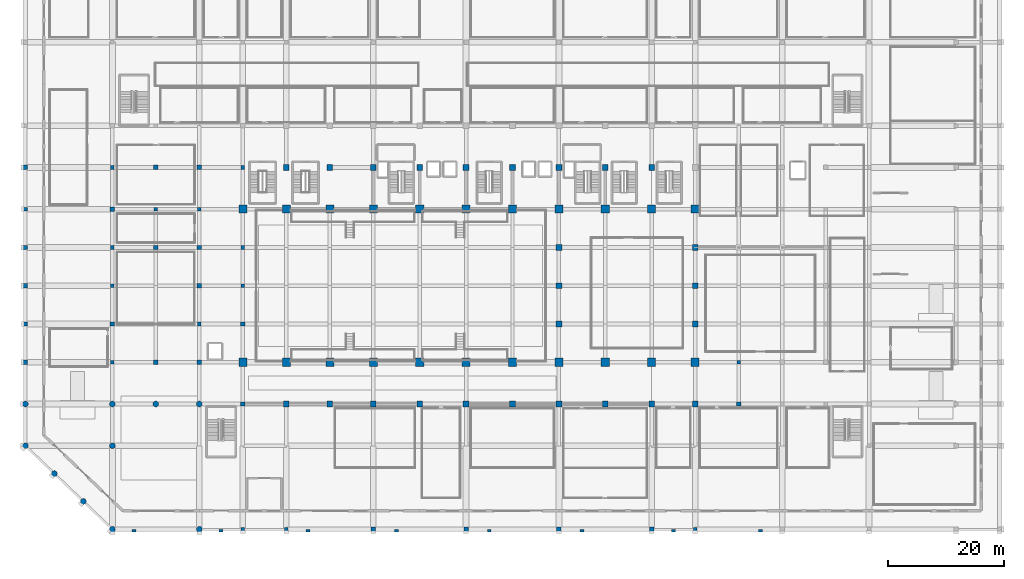
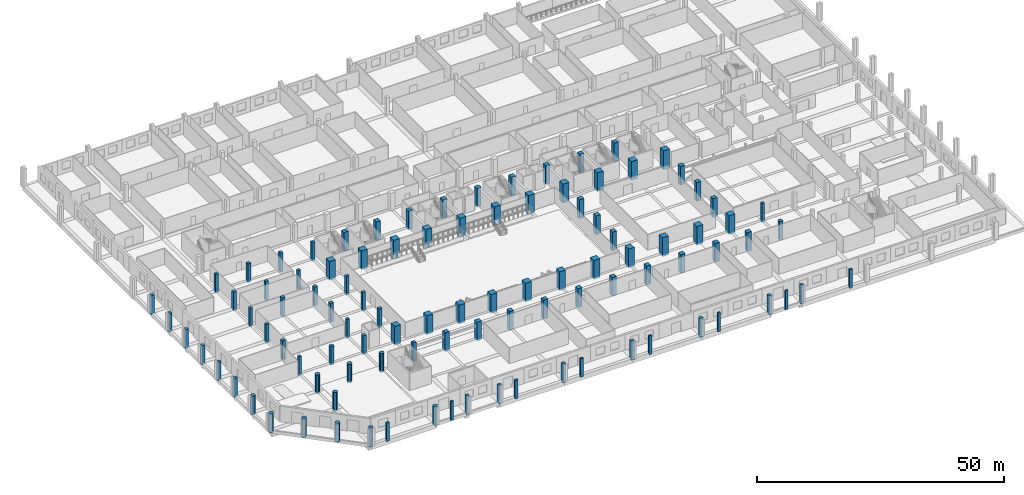
# One storey, part 1 of 33: 101 columns.
"""IFC4 building model written with IfcOpenShell, lengths in metres."""

from ifc_helpers import new_model, si_unit, direction, frame, origin, origin_2d, place, context, subcontext, project, spatial, rectangle, circle, extrude, material, material_profile, profile_set, type_object, element, save


model = new_model("IFC4")

# Units and contexts
model_context = context("Model", 3, precision=1e-05, world=origin(), true_north=direction((0.0, 1.0)))
body_context = subcontext(model_context, "Body", "Model", "MODEL_VIEW")
ifc_project = project(units=[si_unit("LENGTHUNIT", "METRE"), si_unit("AREAUNIT", "SQUARE_METRE"), si_unit("VOLUMEUNIT", "CUBIC_METRE"), si_unit("PLANEANGLEUNIT", "RADIAN"), si_unit("MASSUNIT", "GRAM", prefix="KILO")], contexts=[model_context])

# Site, building, storey
site_placement = place(None, origin())
site = spatial("IfcSite", under=ifc_project, at=site_placement, CompositionType="ELEMENT")
building_placement = place(site_placement, origin())
building = spatial("IfcBuilding", under=site, at=building_placement, Name="Akrevak Sports Hall", CompositionType="ELEMENT")
storey_placement = place(building_placement, origin())
storey = spatial("IfcBuildingStorey", under=building, at=storey_placement, Name="L00", CompositionType="ELEMENT", Elevation=0.0)

# Columns
ifc_material_1 = material(Name="Concrete C50/60", Category="concrete")
ifc_material_profile_1 = material_profile(ifc_material_1, circle(Radius=0.5, at=origin_2d()), Name="COL D1000", Category="concrete")
ifc_profile_set_1 = profile_set([ifc_material_profile_1], Name="Concrete C50/60")
column_type_1 = type_object("IfcColumnType", Name="STR-COL-D1000", PredefinedType="COLUMN", material=ifc_profile_set_1)
for number, where, z_axis, x_axis, name in (
    (1, (0.0, 14.39990234375, -0.35009765625), (0.0, 0.0, 1.0), (1.0, 0.0, 0.0), "Column 1/C (L00)"),
    (2, (0.0, 21.60009765625, -0.35009765625), (0.0, 0.0, 1.0), (1.0, 0.0, 0.0), "Column 1/D (L00)"),
    (3, (15.0, 0.0, -0.35009765625), (0.0, 0.0, 1.0), (1.0, 0.0, 0.0), "Column 3/A (L00)"),
    (4, (15.0, 14.39990234375, -0.35009765625), (0.0, 0.0, 1.0), (1.0, 0.0, 0.0), "Column 3/C (L00)"),
    (5, (15.0, 21.60009765625, -0.35009765625), (0.0, 0.0, 1.0), (1.0, 0.0, 0.0), "Column 3/D (L00)"),
    (6, (22.5, 21.60009765625, -0.35009765625), (0.0, 0.0, 1.0), (1.0, 0.0, 0.0), "Column 4/D (L00)"),
    (7, (30.0, 0.0, -0.35009765625), (0.0, 0.0, 1.0), (1.0, 0.0, 0.0), "Column 5/A (L00)"),
    (8, (30.0, 21.60009765625, -0.35009765625), (0.0, 0.0, 1.0), (1.0, 0.0, 0.0), "Column 5/D (L00)"),
    (9, (10.0, 4.800048828125, -0.35009765625), (0.0, 0.0, 1.0), (1.0, 0.0, 0.0), "Beaux-Arts Chamfer Colonnade Column CH1 (L00)"),
    (10, (5.0, 9.60009765625, -0.35009765625), (0.0, 0.0, 1.0), (1.0, 0.0, 0.0), "Beaux-Arts Chamfer Colonnade Column CH2 (L00)"),
):
    element("IfcColumn", number, at=place(storey_placement, frame(where, z_axis=z_axis, x_axis=x_axis)), inside=storey, type_object=column_type_1, Name=name, PredefinedType="COLUMN", context=body_context, shape_type="SweptSolid", body=[
        extrude(circle(Radius=0.5, at=origin_2d()), origin(), (0.0, 0.0, 1.0), 4.650146484375),
    ])
ifc_material_profile_2 = material_profile(ifc_material_1, rectangle(XDim=1.0, YDim=1.0, at=origin_2d()), Name="RC 1000x1000", Category="concrete")
ifc_profile_set_2 = profile_set([ifc_material_profile_2], Name="Concrete C50/60")
column_type_2 = type_object("IfcColumnType", Name="STR-COL-RC1000", PredefinedType="COLUMN", material=ifc_profile_set_2)
for number, where, z_axis, x_axis, name in (
    (11, (45.0, 21.60009765625, -0.35009765625), (0.0, 0.0, 1.0), (1.0, 0.0, 0.0), "Column 7/D (L00)"),
    (12, (45.0, 62.39990234375, -0.35009765625), (0.0, 0.0, 1.0), (1.0, 0.0, 0.0), "Column 7/J (L00)"),
    (13, (52.5, 21.60009765625, -0.35009765625), (0.0, 0.0, 1.0), (1.0, 0.0, 0.0), "Column 8/D (L00)"),
    (14, (52.5, 62.39990234375, -0.35009765625), (0.0, 0.0, 1.0), (1.0, 0.0, 0.0), "Column 8/J (L00)"),
    (15, (60.0, 21.60009765625, -0.35009765625), (0.0, 0.0, 1.0), (1.0, 0.0, 0.0), "Column 9/D (L00)"),
    (16, (60.0, 62.39990234375, -0.35009765625), (0.0, 0.0, 1.0), (1.0, 0.0, 0.0), "Column 9/J (L00)"),
    (17, (68.0, 21.60009765625, -0.35009765625), (0.0, 0.0, 1.0), (1.0, 0.0, 0.0), "Column 10/D (L00)"),
    (18, (68.0, 62.39990234375, -0.35009765625), (0.0, 0.0, 1.0), (1.0, 0.0, 0.0), "Column 10/J (L00)"),
    (19, (76.0, 21.60009765625, -0.35009765625), (0.0, 0.0, 1.0), (1.0, 0.0, 0.0), "Column 11/D (L00)"),
    (20, (76.0, 62.39990234375, -0.35009765625), (0.0, 0.0, 1.0), (1.0, 0.0, 0.0), "Column 11/J (L00)"),
    (21, (84.0, 21.60009765625, -0.35009765625), (0.0, 0.0, 1.0), (1.0, 0.0, 0.0), "Column 12/D (L00)"),
    (22, (84.0, 62.39990234375, -0.35009765625), (0.0, 0.0, 1.0), (1.0, 0.0, 0.0), "Column 12/J (L00)"),
    (23, (92.0, 21.60009765625, -0.35009765625), (0.0, 0.0, 1.0), (1.0, 0.0, 0.0), "Column 13/D (L00)"),
    (24, (92.0, 35.39990234375, -0.35009765625), (0.0, 0.0, 1.0), (1.0, 0.0, 0.0), "Column 13/F (L00)"),
    (25, (92.0, 42.0, -0.35009765625), (0.0, 0.0, 1.0), (1.0, 0.0, 0.0), "Column 13/G (L00)"),
    (26, (92.0, 48.60009765625, -0.35009765625), (0.0, 0.0, 1.0), (1.0, 0.0, 0.0), "Column 13/H (L00)"),
    (27, (92.0, 62.39990234375, -0.35009765625), (0.0, 0.0, 1.0), (1.0, 0.0, 0.0), "Column 13/J (L00)"),
    (28, (100.0, 21.60009765625, -0.35009765625), (0.0, 0.0, 1.0), (1.0, 0.0, 0.0), "Column 14/D (L00)"),
    (29, (100.0, 62.39990234375, -0.35009765625), (0.0, 0.0, 1.0), (1.0, 0.0, 0.0), "Column 14/J (L00)"),
    (30, (108.0, 21.60009765625, -0.35009765625), (0.0, 0.0, 1.0), (1.0, 0.0, 0.0), "Column 15/D (L00)"),
    (31, (108.0, 62.39990234375, -0.35009765625), (0.0, 0.0, 1.0), (1.0, 0.0, 0.0), "Column 15/J (L00)"),
    (32, (115.5, 21.60009765625, -0.35009765625), (0.0, 0.0, 1.0), (1.0, 0.0, 0.0), "Column 16/D (L00)"),
    (33, (115.5, 35.39990234375, -0.35009765625), (0.0, 0.0, 1.0), (1.0, 0.0, 0.0), "Column 16/F (L00)"),
    (34, (115.5, 42.0, -0.35009765625), (0.0, 0.0, 1.0), (1.0, 0.0, 0.0), "Column 16/G (L00)"),
    (35, (115.5, 48.60009765625, -0.35009765625), (0.0, 0.0, 1.0), (1.0, 0.0, 0.0), "Column 16/H (L00)"),
):
    element("IfcColumn", number, at=place(storey_placement, frame(where, z_axis=z_axis, x_axis=x_axis)), inside=storey, type_object=column_type_2, Name=name, PredefinedType="COLUMN", context=body_context, shape_type="SweptSolid", body=[
        extrude(rectangle(XDim=1.0, YDim=1.0, at=origin_2d()), origin(), (0.0, 0.0, 1.0), 4.650146484375),
    ])
ifc_material_profile_3 = material_profile(ifc_material_1, rectangle(XDim=1.39990234375, YDim=1.39990234375, at=origin_2d()), Name="RC 1400x1400", Category="concrete")
ifc_profile_set_3 = profile_set([ifc_material_profile_3], Name="Concrete C50/60")
column_type_3 = type_object("IfcColumnType", Name="STR-COL-RC1400", PredefinedType="COLUMN", material=ifc_profile_set_3)
for number, where, z_axis, x_axis, name in (
    (36, (37.5, 28.800048828125, -0.35009765625), (0.0, 0.0, 1.0), (1.0, 0.0, 0.0), "Column 6/E (L00)"),
    (37, (37.5, 55.199951171875, -0.35009765625), (0.0, 0.0, 1.0), (1.0, 0.0, 0.0), "Column 6/I (L00)"),
    (38, (45.0, 28.800048828125, -0.35009765625), (0.0, 0.0, 1.0), (1.0, 0.0, 0.0), "Column 7/E (L00)"),
    (39, (45.0, 55.199951171875, -0.35009765625), (0.0, 0.0, 1.0), (1.0, 0.0, 0.0), "Column 7/I (L00)"),
    (40, (52.5, 28.800048828125, -0.35009765625), (0.0, 0.0, 1.0), (1.0, 0.0, 0.0), "Column 8/E (L00)"),
    (41, (52.5, 55.199951171875, -0.35009765625), (0.0, 0.0, 1.0), (1.0, 0.0, 0.0), "Column 8/I (L00)"),
    (42, (60.0, 28.800048828125, -0.35009765625), (0.0, 0.0, 1.0), (1.0, 0.0, 0.0), "Column 9/E (L00)"),
    (43, (60.0, 55.199951171875, -0.35009765625), (0.0, 0.0, 1.0), (1.0, 0.0, 0.0), "Column 9/I (L00)"),
    (44, (68.0, 28.800048828125, -0.35009765625), (0.0, 0.0, 1.0), (1.0, 0.0, 0.0), "Column 10/E (L00)"),
    (45, (68.0, 55.199951171875, -0.35009765625), (0.0, 0.0, 1.0), (1.0, 0.0, 0.0), "Column 10/I (L00)"),
    (46, (76.0, 28.800048828125, -0.35009765625), (0.0, 0.0, 1.0), (1.0, 0.0, 0.0), "Column 11/E (L00)"),
    (47, (76.0, 55.199951171875, -0.35009765625), (0.0, 0.0, 1.0), (1.0, 0.0, 0.0), "Column 11/I (L00)"),
    (48, (84.0, 28.800048828125, -0.35009765625), (0.0, 0.0, 1.0), (1.0, 0.0, 0.0), "Column 12/E (L00)"),
    (49, (84.0, 55.199951171875, -0.35009765625), (0.0, 0.0, 1.0), (1.0, 0.0, 0.0), "Column 12/I (L00)"),
    (50, (92.0, 28.800048828125, -0.35009765625), (0.0, 0.0, 1.0), (1.0, 0.0, 0.0), "Column 13/E (L00)"),
    (51, (92.0, 55.199951171875, -0.35009765625), (0.0, 0.0, 1.0), (1.0, 0.0, 0.0), "Column 13/I (L00)"),
    (52, (100.0, 28.800048828125, -0.35009765625), (0.0, 0.0, 1.0), (1.0, 0.0, 0.0), "Column 14/E (L00)"),
    (53, (100.0, 55.199951171875, -0.35009765625), (0.0, 0.0, 1.0), (1.0, 0.0, 0.0), "Column 14/I (L00)"),
    (54, (108.0, 28.800048828125, -0.35009765625), (0.0, 0.0, 1.0), (1.0, 0.0, 0.0), "Column 15/E (L00)"),
    (55, (108.0, 55.199951171875, -0.35009765625), (0.0, 0.0, 1.0), (1.0, 0.0, 0.0), "Column 15/I (L00)"),
    (56, (115.5, 28.800048828125, -0.35009765625), (0.0, 0.0, 1.0), (1.0, 0.0, 0.0), "Column 16/E (L00)"),
    (57, (115.5, 55.199951171875, -0.35009765625), (0.0, 0.0, 1.0), (1.0, 0.0, 0.0), "Column 16/I (L00)"),
):
    element("IfcColumn", number, at=place(storey_placement, frame(where, z_axis=z_axis, x_axis=x_axis)), inside=storey, type_object=column_type_3, Name=name, PredefinedType="COLUMN", context=body_context, shape_type="SweptSolid", body=[
        extrude(rectangle(XDim=1.39990234375, YDim=1.39990234375, at=origin_2d()), origin(), (0.0, 0.0, 1.0), 4.650146484375),
    ])
ifc_material_2 = material(Name="Concrete C40/50", Category="concrete")
ifc_material_profile_4 = material_profile(ifc_material_2, rectangle(XDim=0.64990234375, YDim=0.64990234375, at=origin_2d()), Name="RC 650x650", Category="concrete")
ifc_profile_set_4 = profile_set([ifc_material_profile_4], Name="Concrete C40/50")
column_type_4 = type_object("IfcColumnType", Name="STR-COL-RC650", PredefinedType="COLUMN", material=ifc_profile_set_4)
for number, where, z_axis, x_axis, name in (
    (58, (0.0, 35.39990234375, -0.35009765625), (0.0, 0.0, 1.0), (1.0, 0.0, 0.0), "Column 1/F (L00)"),
    (59, (0.0, 55.199951171875, -0.35009765625), (0.0, 0.0, 1.0), (1.0, 0.0, 0.0), "Column 1/I (L00)"),
    (60, (15.0, 28.800048828125, -0.35009765625), (0.0, 0.0, 1.0), (1.0, 0.0, 0.0), "Column 3/E (L00)"),
    (61, (15.0, 42.0, -0.35009765625), (0.0, 0.0, 1.0), (1.0, 0.0, 0.0), "Column 3/G (L00)"),
    (62, (15.0, 48.60009765625, -0.35009765625), (0.0, 0.0, 1.0), (1.0, 0.0, 0.0), "Column 3/H (L00)"),
    (63, (15.0, 62.39990234375, -0.35009765625), (0.0, 0.0, 1.0), (1.0, 0.0, 0.0), "Column 3/J (L00)"),
    (64, (22.5, 55.199951171875, -0.35009765625), (0.0, 0.0, 1.0), (1.0, 0.0, 0.0), "Column 4/I (L00)"),
    (65, (30.0, 35.39990234375, -0.35009765625), (0.0, 0.0, 1.0), (1.0, 0.0, 0.0), "Column 5/F (L00)"),
    (66, (30.0, 55.199951171875, -0.35009765625), (0.0, 0.0, 1.0), (1.0, 0.0, 0.0), "Column 5/I (L00)"),
    (67, (37.5, 0.0, -0.35009765625), (0.0, 0.0, 1.0), (1.0, 0.0, 0.0), "Column 6/A (L00)"),
    (68, (37.5, 42.0, -0.35009765625), (0.0, 0.0, 1.0), (1.0, 0.0, 0.0), "Column 6/G (L00)"),
    (69, (37.5, 48.60009765625, -0.35009765625), (0.0, 0.0, 1.0), (1.0, 0.0, 0.0), "Column 6/H (L00)"),
    (70, (37.5, 62.39990234375, -0.35009765625), (0.0, 0.0, 1.0), (1.0, 0.0, 0.0), "Column 6/J (L00)"),
    (71, (45.0, 0.0, -0.35009765625), (0.0, 0.0, 1.0), (1.0, 0.0, 0.0), "Column 7/A (L00)"),
    (72, (115.5, 0.0, -0.35009765625), (0.0, 0.0, 1.0), (1.0, 0.0, 0.0), "Column 16/A (L00)"),
    (73, (123.0, 28.800048828125, -0.35009765625), (0.0, 0.0, 1.0), (1.0, 0.0, 0.0), "Column 17/E (L00)"),
):
    element("IfcColumn", number, at=place(storey_placement, frame(where, z_axis=z_axis, x_axis=x_axis)), inside=storey, type_object=column_type_4, Name=name, PredefinedType="COLUMN", context=body_context, shape_type="SweptSolid", body=[
        extrude(rectangle(XDim=0.64990234375, YDim=0.64990234375, at=origin_2d()), origin(), (0.0, 0.0, 1.0), 4.650146484375),
    ])
ifc_material_profile_5 = material_profile(ifc_material_2, rectangle(XDim=0.75, YDim=0.75, at=origin_2d()), Name="RC 750x750", Category="concrete")
ifc_profile_set_5 = profile_set([ifc_material_profile_5], Name="Concrete C40/50")
column_type_5 = type_object("IfcColumnType", Name="STR-COL-RC750", PredefinedType="COLUMN", material=ifc_profile_set_5)
for number, where, z_axis, x_axis, name in (
    (74, (0.0, 28.800048828125, -0.35009765625), (0.0, 0.0, 1.0), (1.0, 0.0, 0.0), "Column 1/E (L00)"),
    (75, (0.0, 42.0, -0.35009765625), (0.0, 0.0, 1.0), (1.0, 0.0, 0.0), "Column 1/G (L00)"),
    (76, (0.0, 48.60009765625, -0.35009765625), (0.0, 0.0, 1.0), (1.0, 0.0, 0.0), "Column 1/H (L00)"),
    (77, (0.0, 62.39990234375, -0.35009765625), (0.0, 0.0, 1.0), (1.0, 0.0, 0.0), "Column 1/J (L00)"),
    (78, (15.0, 35.39990234375, -0.35009765625), (0.0, 0.0, 1.0), (1.0, 0.0, 0.0), "Column 3/F (L00)"),
    (79, (15.0, 55.199951171875, -0.35009765625), (0.0, 0.0, 1.0), (1.0, 0.0, 0.0), "Column 3/I (L00)"),
    (80, (22.5, 28.800048828125, -0.35009765625), (0.0, 0.0, 1.0), (1.0, 0.0, 0.0), "Column 4/E (L00)"),
    (81, (22.5, 48.60009765625, -0.35009765625), (0.0, 0.0, 1.0), (1.0, 0.0, 0.0), "Column 4/H (L00)"),
    (82, (22.5, 62.39990234375, -0.35009765625), (0.0, 0.0, 1.0), (1.0, 0.0, 0.0), "Column 4/J (L00)"),
    (83, (30.0, 28.800048828125, -0.35009765625), (0.0, 0.0, 1.0), (1.0, 0.0, 0.0), "Column 5/E (L00)"),
    (84, (30.0, 42.0, -0.35009765625), (0.0, 0.0, 1.0), (1.0, 0.0, 0.0), "Column 5/G (L00)"),
    (85, (30.0, 48.60009765625, -0.35009765625), (0.0, 0.0, 1.0), (1.0, 0.0, 0.0), "Column 5/H (L00)"),
    (86, (30.0, 62.39990234375, -0.35009765625), (0.0, 0.0, 1.0), (1.0, 0.0, 0.0), "Column 5/J (L00)"),
    (87, (37.5, 21.60009765625, -0.35009765625), (0.0, 0.0, 1.0), (1.0, 0.0, 0.0), "Column 6/D (L00)"),
    (88, (37.5, 35.39990234375, -0.35009765625), (0.0, 0.0, 1.0), (1.0, 0.0, 0.0), "Column 6/F (L00)"),
    (89, (60.0, 0.0, -0.35009765625), (0.0, 0.0, 1.0), (1.0, 0.0, 0.0), "Column 9/A (L00)"),
    (90, (76.0, 0.0, -0.35009765625), (0.0, 0.0, 1.0), (1.0, 0.0, 0.0), "Column 11/A (L00)"),
    (91, (92.0, 0.0, -0.35009765625), (0.0, 0.0, 1.0), (1.0, 0.0, 0.0), "Column 13/A (L00)"),
    (92, (108.0, 0.0, -0.35009765625), (0.0, 0.0, 1.0), (1.0, 0.0, 0.0), "Column 15/A (L00)"),
    (93, (123.0, 21.60009765625, -0.35009765625), (0.0, 0.0, 1.0), (1.0, 0.0, 0.0), "Column 17/D (L00)"),
):
    element("IfcColumn", number, at=place(storey_placement, frame(where, z_axis=z_axis, x_axis=x_axis)), inside=storey, type_object=column_type_5, Name=name, PredefinedType="COLUMN", context=body_context, shape_type="SweptSolid", body=[
        extrude(rectangle(XDim=0.75, YDim=0.75, at=origin_2d()), origin(), (0.0, 0.0, 1.0), 4.650146484375),
    ])
ifc_material_profile_6 = material_profile(ifc_material_2, rectangle(XDim=0.64990234375, YDim=0.39990234375, at=origin_2d()), Name="PIL 650x400", Category="concrete")
ifc_profile_set_6 = profile_set([ifc_material_profile_6], Name="Concrete C40/50")
column_type_6 = type_object("IfcColumnType", Name="STR-PIL-650x400", PredefinedType="PILASTER", material=ifc_profile_set_6)
for number, where, z_axis, x_axis, name in (
    (94, (18.75, -0.260009765625, -0.35009765625), (0.0, 0.0, 1.0), (1.0, 0.0, 0.0), "Beaux-Arts Pilaster S01 (L00)"),
    (95, (33.75, -0.260009765625, -0.35009765625), (0.0, 0.0, 1.0), (1.0, 0.0, 0.0), "Beaux-Arts Pilaster S02 (L00)"),
    (96, (48.75, -0.260009765625, -0.35009765625), (0.0, 0.0, 1.0), (1.0, 0.0, 0.0), "Beaux-Arts Pilaster S03 (L00)"),
    (97, (64.0, -0.260009765625, -0.35009765625), (0.0, 0.0, 1.0), (1.0, 0.0, 0.0), "Beaux-Arts Pilaster S04 (L00)"),
    (98, (80.0, -0.260009765625, -0.35009765625), (0.0, 0.0, 1.0), (1.0, 0.0, 0.0), "Beaux-Arts Pilaster S05 (L00)"),
    (99, (96.0, -0.260009765625, -0.35009765625), (0.0, 0.0, 1.0), (1.0, 0.0, 0.0), "Beaux-Arts Pilaster S06 (L00)"),
    (100, (111.75, -0.260009765625, -0.35009765625), (0.0, 0.0, 1.0), (1.0, 0.0, 0.0), "Beaux-Arts Pilaster S07 (L00)"),
    (101, (126.75, -0.260009765625, -0.35009765625), (0.0, 0.0, 1.0), (1.0, 0.0, 0.0), "Beaux-Arts Pilaster S08 (L00)"),
):
    element("IfcColumn", number, at=place(storey_placement, frame(where, z_axis=z_axis, x_axis=x_axis)), inside=storey, type_object=column_type_6, Name=name, PredefinedType="PILASTER", context=body_context, shape_type="SweptSolid", body=[
        extrude(rectangle(XDim=0.64990234375, YDim=0.39990234375, at=origin_2d()), origin(), (0.0, 0.0, 1.0), 4.650146484375),
    ])

save(model, "model.ifc")
